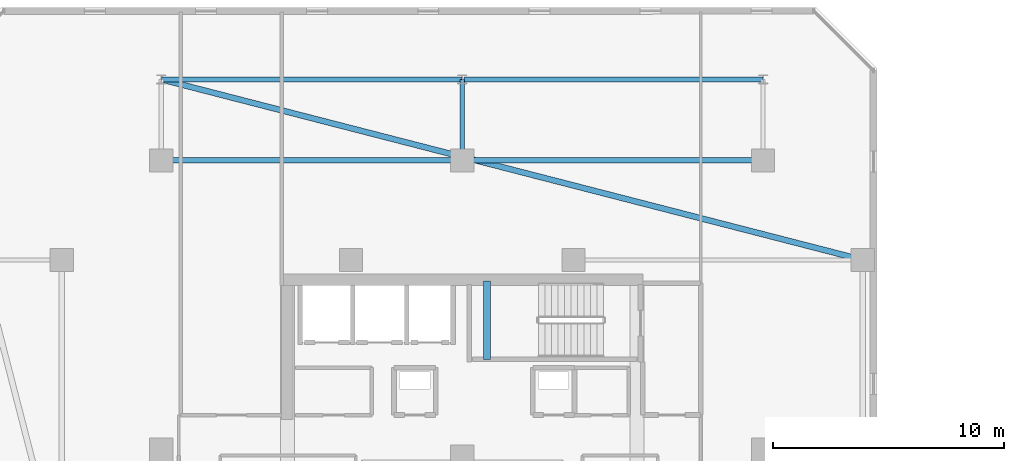
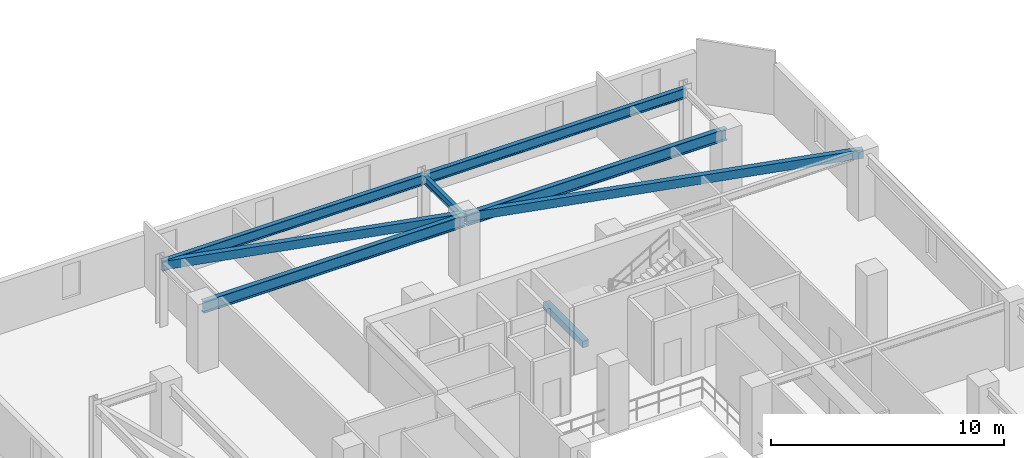
# One storey, part 8 of 33: 7 beams.
"""IFC4 building model written with IfcOpenShell, lengths in metres."""

from ifc_helpers import new_model, si_unit, direction, frame, origin, origin_2d, place, context, subcontext, project, spatial, rectangle, hollow_rectangle, i_section, extrude, material, material_profile, profile_set, type_object, element, save


model = new_model("IFC4")

# Units and contexts
model_context = context("Model", 3, precision=1e-05, world=origin(), true_north=direction((0.0, 1.0)))
body_context = subcontext(model_context, "Body", "Model", "MODEL_VIEW")
ifc_project = project(units=[si_unit("LENGTHUNIT", "METRE"), si_unit("AREAUNIT", "SQUARE_METRE"), si_unit("VOLUMEUNIT", "CUBIC_METRE"), si_unit("PLANEANGLEUNIT", "RADIAN"), si_unit("MASSUNIT", "GRAM", prefix="KILO")], contexts=[model_context])

# Site, building, storey
site_placement = place(None, origin())
site = spatial("IfcSite", under=ifc_project, at=site_placement, CompositionType="ELEMENT")
building_placement = place(site_placement, origin())
building = spatial("IfcBuilding", under=site, at=building_placement, Name="Thornwick Lancets Civic Towers", CompositionType="ELEMENT")
storey_placement = place(building_placement, frame((0.0, 0.0, 203.699951171875)))
storey = spatial("IfcBuildingStorey", under=building, at=storey_placement, Name="L54", CompositionType="ELEMENT", Elevation=203.699951171875)

# Beams
ifc_material_1 = material(Name="Steel S355JR", Category="steel")
ifc_material_profile_1 = material_profile(ifc_material_1, i_section(OverallWidth=0.210693359375, OverallDepth=0.53955078125, WebThickness=0.01171875, FlangeThickness=0.018798828125, FilletRadius=0.0126953125, at=origin_2d()), Name="UKB 533x210x109")
ifc_profile_set_1 = profile_set([ifc_material_profile_1], Name="Steel S355JR")
beam_type_1 = type_object("IfcBeamType", Name="BM_EDGE_533_109", PredefinedType="SPANDREL", material=ifc_profile_set_1)
beam_1_placement = place(storey_placement, frame((12.5, 47.800048828125, 3.09033203125), z_axis=(1.0, 0.0, 0.0), x_axis=(0.0, 1.0, 0.0)))
element("IfcBeam", 1, at=beam_1_placement, inside=storey, type_object=beam_type_1, Name="BM-EDGE-L54-A-S2-1", PredefinedType="SPANDREL", context=body_context, shape_type="SweptSolid", body=[
    extrude(i_section(OverallWidth=0.210693359375, OverallDepth=0.53955078125, WebThickness=0.01171875, FlangeThickness=0.018798828125, FilletRadius=0.0126953125, at=origin_2d()), origin(), (0.0, 0.0, 1.0), 13.0),
])
beam_2_placement = place(storey_placement, frame((25.580078125, 47.800048828125, 3.09033203125), z_axis=(1.0, 0.0, 0.0), x_axis=(0.0, 1.0, 0.0)))
element("IfcBeam", 2, at=beam_2_placement, inside=storey, type_object=beam_type_1, Name="BM-EDGE-L54-A-S2-2", PredefinedType="SPANDREL", context=body_context, shape_type="SweptSolid", body=[
    extrude(i_section(OverallWidth=0.210693359375, OverallDepth=0.53955078125, WebThickness=0.01171875, FlangeThickness=0.018798828125, FilletRadius=0.0126953125, at=origin_2d()), origin(), (0.0, 0.0, 1.0), 12.919921875),
])
ifc_material_profile_2 = material_profile(ifc_material_1, i_section(OverallWidth=0.230224609375, OverallDepth=0.6171875, WebThickness=0.01318359375, FlangeThickness=0.022216796875, FilletRadius=0.0126953125, at=origin_2d()), Name="UKB 610x229x140")
ifc_profile_set_2 = profile_set([ifc_material_profile_2], Name="Steel S355JR")
beam_type_2 = type_object("IfcBeamType", Name="BM_GIRD_610_140", PredefinedType="BEAM", material=ifc_profile_set_2)
beam_3_placement = place(storey_placement, frame((12.5, 44.300048828125, 3.051513671875), z_axis=(1.0, 0.0, 0.0), x_axis=(0.0, 1.0, 0.0)))
element("IfcBeam", 3, at=beam_3_placement, inside=storey, type_object=beam_type_2, Name="BM-SPINE-L54-A-6-7", PredefinedType="BEAM", context=body_context, shape_type="SweptSolid", body=[
    extrude(i_section(OverallWidth=0.230224609375, OverallDepth=0.6171875, WebThickness=0.01318359375, FlangeThickness=0.022216796875, FilletRadius=0.0126953125, at=origin_2d()), origin(), (0.0, 0.0, 1.0), 13.0),
])
beam_4_placement = place(storey_placement, frame((25.580078125, 44.300048828125, 3.051513671875), z_axis=(1.0, 0.0, 0.0), x_axis=(0.0, 1.0, 0.0)))
element("IfcBeam", 4, at=beam_4_placement, inside=storey, type_object=beam_type_2, Name="BM-SPINE-L54-A-7-8", PredefinedType="BEAM", context=body_context, shape_type="SweptSolid", body=[
    extrude(i_section(OverallWidth=0.230224609375, OverallDepth=0.6171875, WebThickness=0.01318359375, FlangeThickness=0.022216796875, FilletRadius=0.0126953125, at=origin_2d()), origin(), (0.0, 0.0, 1.0), 12.919921875),
])
ifc_material_profile_3 = material_profile(ifc_material_1, i_section(OverallWidth=0.179443359375, OverallDepth=0.412841796875, WebThickness=0.009521484375, FlangeThickness=0.01611328125, FilletRadius=0.01025390625, at=origin_2d()), Name="UKB 406x178x74")
ifc_profile_set_3 = profile_set([ifc_material_profile_3], Name="Steel S355JR")
beam_type_3 = type_object("IfcBeamType", Name="BM_JOIST_406_74", PredefinedType="JOIST", material=ifc_profile_set_3)
beam_5_placement = place(storey_placement, frame((25.5, 44.300048828125, 3.153564453125), z_axis=(0.0, 1.0, 0.0), x_axis=(-1.0, 0.0, 0.0)))
element("IfcBeam", 5, at=beam_5_placement, inside=storey, type_object=beam_type_3, Name="BM-RAD-L54-A08", PredefinedType="JOIST", context=body_context, shape_type="SweptSolid", body=[
    extrude(i_section(OverallWidth=0.179443359375, OverallDepth=0.412841796875, WebThickness=0.009521484375, FlangeThickness=0.01611328125, FilletRadius=0.01025390625, at=origin_2d()), origin(), (0.0, 0.0, 1.0), 3.5),
])
ifc_material_profile_4 = material_profile(ifc_material_1, hollow_rectangle(XDim=0.25, YDim=0.449951171875, WallThickness=0.01611328125, at=origin_2d()), Name="RHS 450x250x16")
ifc_profile_set_4 = profile_set([ifc_material_profile_4], Name="Steel S355JR")
beam_type_4 = type_object("IfcBeamType", Name="BM_RING_RHS450", PredefinedType="BEAM", material=ifc_profile_set_4)
beam_6_placement = place(storey_placement, frame((42.800048828125, 40.0, 3.135009765625), z_axis=(-0.96842654257, 0.249299080716, 0.0), x_axis=(-0.249299080716, -0.96842654257, 0.0)))
element("IfcBeam", 6, at=beam_6_placement, inside=storey, type_object=beam_type_4, Name="BM-CHAMF-L54-A-C1", PredefinedType="BEAM", context=body_context, shape_type="SweptSolid", body=[
    extrude(hollow_rectangle(XDim=0.25, YDim=0.449951171875, WallThickness=0.01611328125, at=origin_2d()), origin(), (0.0, 0.0, 1.0), 31.287841796875),
])
ifc_material_2 = material(Name="Concrete C40/50", Category="concrete")
ifc_material_profile_5 = material_profile(ifc_material_2, rectangle(XDim=0.300048828125, YDim=0.35009765625, at=origin_2d()), Name="RC 300x350")
ifc_profile_set_5 = profile_set([ifc_material_profile_5], Name="Concrete C40/50")
beam_type_5 = type_object("IfcBeamType", Name="BM_STAIR_LDG", PredefinedType="BEAM", material=ifc_profile_set_5)
beam_7_placement = place(storey_placement, frame((26.56494140625, 39.10009765625, 1.3779296875), z_axis=(0.0, -1.0, 0.0), x_axis=(1.0, 0.0, 0.0)))
element("IfcBeam", 7, at=beam_7_placement, inside=storey, type_object=beam_type_5, Name="L54 ST-A2 Landing Support Beam 1", PredefinedType="BEAM", context=body_context, shape_type="SweptSolid", body=[
    extrude(rectangle(XDim=0.300048828125, YDim=0.35009765625, at=origin_2d()), origin(), (0.0, 0.0, 1.0), 3.400146484375),
])

save(model, "model.ifc")
